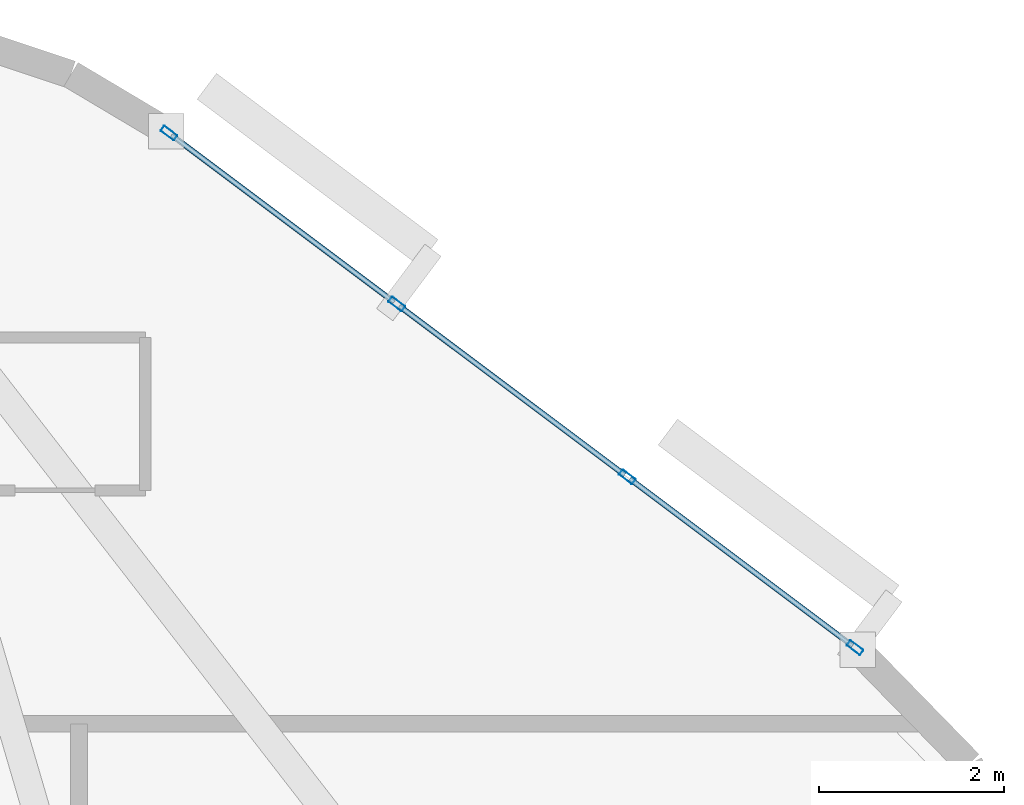
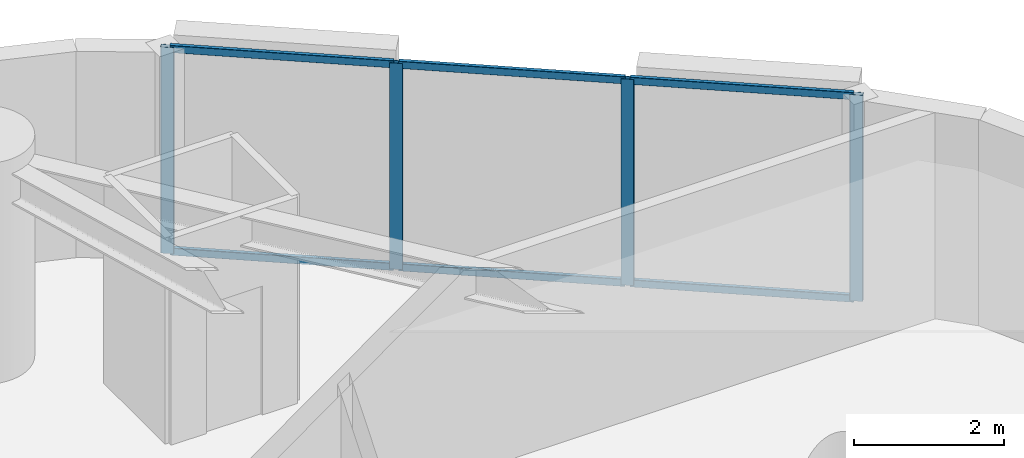
# One storey, part 8 of 15: 10 members, 1 element without a shape of its own.
"""IFC4 building model written with IfcOpenShell, lengths in metres."""

from ifc_helpers import new_model, si_unit, direction, frame, origin, origin_2d, place, context, subcontext, project, spatial, hollow_rectangle, extrude, material, layer, layer_set, material_profile, profile_set, type_object, element, aggregate, save


model = new_model("IFC4")

# Units and contexts
model_context = context("Model", 3, precision=1e-05, world=origin(), true_north=direction((0.0, 1.0)))
body_context = subcontext(model_context, "Body", "Model", "MODEL_VIEW")
ifc_project = project(units=[si_unit("LENGTHUNIT", "METRE"), si_unit("AREAUNIT", "SQUARE_METRE"), si_unit("VOLUMEUNIT", "CUBIC_METRE"), si_unit("PLANEANGLEUNIT", "RADIAN"), si_unit("MASSUNIT", "GRAM", prefix="KILO")], contexts=[model_context])

# Site, building, storey
site_placement = place(None, origin())
site = spatial("IfcSite", under=ifc_project, at=site_placement, CompositionType="ELEMENT")
building_placement = place(site_placement, origin())
building = spatial("IfcBuilding", under=site, at=building_placement, Name="An Khanh Terracotta Commons", CompositionType="ELEMENT")
storey_placement = place(building_placement, frame((0.0, 0.0, 129.5)))
storey = spatial("IfcBuildingStorey", under=building, at=storey_placement, Name="L34", CompositionType="ELEMENT", Elevation=129.5)

# Curtain wall, members
ifc_material = material(Name="Anodised Aluminium 6063-T6", Category="aluminium")
ifc_layer = layer(ifc_material, 0.199951171875, Name="Anodised Aluminium 6063-T6")
ifc_layer_set = layer_set([ifc_layer], Name="Anodised Aluminium 6063-T6")
curtain_wall_type = type_object("IfcCurtainWallType", Name="CW-SYS-02", PredefinedType="USERDEFINED", material=ifc_layer_set)
curtain_wall_placement = place(storey_placement, origin())
curtain_wall = element("IfcCurtainWall", 1, at=curtain_wall_placement, inside=storey, type_object=curtain_wall_type, Name="L34 CW-02 Unitised Curtain Wall CW-L34-16", ObjectType="UNITISED CURTAIN WALL", PredefinedType="USERDEFINED")
ifc_material_profile_1 = material_profile(ifc_material, hollow_rectangle(XDim=0.070068359375, YDim=0.179931640625, WallThickness=0.00390625, InnerFilletRadius=0.00390625, OuterFilletRadius=0.008056640625, at=origin_2d()), Name="RHS180x70x4")
ifc_profile_set_1 = profile_set([ifc_material_profile_1], Name="Anodised Aluminium 6063-T6")
member_type_1 = type_object("IfcMemberType", Name="CWM-RHS180x70x4", PredefinedType="MULLION", material=ifc_profile_set_1)
member_1_placement = place(storey_placement, frame((55.132080078125, 37.10107421875, 0.0), z_axis=(0.0, 0.0, 1.0), x_axis=(-0.599982857492, -0.800012856594, 0.0)))
member_1 = element("IfcMember", 2, at=member_1_placement, type_object=member_type_1, Name="CW-02 mullion 1", PredefinedType="MULLION", context=body_context, shape_type="SweptSolid", body=[
    extrude(hollow_rectangle(XDim=0.070068359375, YDim=0.179931640625, WallThickness=0.00390625, InnerFilletRadius=0.00390625, OuterFilletRadius=0.008056640625, at=origin_2d()), origin(), (0.0, 0.0, 1.0), 3.360107421875),
])
member_2_placement = place(storey_placement, frame((52.6708984375, 38.94677734375, 0.0), z_axis=(0.0, 0.0, 1.0), x_axis=(-0.599982857492, -0.800012856594, 0.0)))
member_2 = element("IfcMember", 3, at=member_2_placement, type_object=member_type_1, Name="CW-02 mullion 2", PredefinedType="MULLION", context=body_context, shape_type="SweptSolid", body=[
    extrude(hollow_rectangle(XDim=0.070068359375, YDim=0.179931640625, WallThickness=0.00390625, InnerFilletRadius=0.00390625, OuterFilletRadius=0.008056640625, at=origin_2d()), origin(), (0.0, 0.0, 1.0), 3.360107421875),
])
member_3_placement = place(storey_placement, frame((50.181884765625, 40.813232421875, 0.0), z_axis=(0.0, 0.0, 1.0), x_axis=(-0.599982857492, -0.800012856594, 0.0)))
member_3 = element("IfcMember", 4, at=member_3_placement, type_object=member_type_1, Name="CW-02 mullion 3", PredefinedType="MULLION", context=body_context, shape_type="SweptSolid", body=[
    extrude(hollow_rectangle(XDim=0.070068359375, YDim=0.179931640625, WallThickness=0.00390625, InnerFilletRadius=0.00390625, OuterFilletRadius=0.008056640625, at=origin_2d()), origin(), (0.0, 0.0, 1.0), 3.360107421875),
])
member_4_placement = place(storey_placement, frame((47.720947265625, 42.658935546875, 0.0), z_axis=(0.0, 0.0, 1.0), x_axis=(-0.599982857492, -0.800012856594, 0.0)))
member_4 = element("IfcMember", 5, at=member_4_placement, type_object=member_type_1, Name="CW-02 mullion 4", PredefinedType="MULLION", context=body_context, shape_type="SweptSolid", body=[
    extrude(hollow_rectangle(XDim=0.070068359375, YDim=0.179931640625, WallThickness=0.00390625, InnerFilletRadius=0.00390625, OuterFilletRadius=0.008056640625, at=origin_2d()), origin(), (0.0, 0.0, 1.0), 3.360107421875),
])
ifc_material_profile_2 = material_profile(ifc_material, hollow_rectangle(XDim=0.06005859375, YDim=0.1201171875, WallThickness=0.003662109375, InnerFilletRadius=0.003662109375, OuterFilletRadius=0.007080078125, at=origin_2d()), Name="RHS120x60x3.6")
ifc_profile_set_2 = profile_set([ifc_material_profile_2], Name="Anodised Aluminium 6063-T6")
member_type_2 = type_object("IfcMemberType", Name="CWT-RHS120x60x3.6", PredefinedType="USERDEFINED", material=ifc_profile_set_2)
member_5_placement = place(storey_placement, frame((55.10400390625, 37.1220703125, 0.030029296875), z_axis=(-0.800009745217, 0.599987006158, 0.0), x_axis=(-0.599987006158, -0.800009745217, 0.0)))
member_5 = element("IfcMember", 6, at=member_5_placement, type_object=member_type_2, Name="CW-02 transom 1.1", ObjectType="TRANSOM", PredefinedType="USERDEFINED", context=body_context, shape_type="SweptSolid", body=[
    extrude(hollow_rectangle(XDim=0.06005859375, YDim=0.1201171875, WallThickness=0.003662109375, InnerFilletRadius=0.003662109375, OuterFilletRadius=0.007080078125, at=origin_2d()), origin(), (0.0, 0.0, 1.0), 3.00634765625),
])
member_6_placement = place(storey_placement, frame((55.10400390625, 37.1220703125, 3.330078125), z_axis=(-0.800009745217, 0.599987006158, 0.0), x_axis=(-0.599987006158, -0.800009745217, 0.0)))
member_6 = element("IfcMember", 7, at=member_6_placement, type_object=member_type_2, Name="CW-02 transom 1.2", ObjectType="TRANSOM", PredefinedType="USERDEFINED", context=body_context, shape_type="SweptSolid", body=[
    extrude(hollow_rectangle(XDim=0.06005859375, YDim=0.1201171875, WallThickness=0.003662109375, InnerFilletRadius=0.003662109375, OuterFilletRadius=0.007080078125, at=origin_2d()), origin(), (0.0, 0.0, 1.0), 3.00634765625),
])
member_7_placement = place(storey_placement, frame((52.64306640625, 38.9677734375, 0.030029296875), z_axis=(-0.800057796972, 0.599922929638, 0.0), x_axis=(-0.599922929638, -0.800057796972, 0.0)))
member_7 = element("IfcMember", 8, at=member_7_placement, type_object=member_type_2, Name="CW-02 transom 2.1", ObjectType="TRANSOM", PredefinedType="USERDEFINED", context=body_context, shape_type="SweptSolid", body=[
    extrude(hollow_rectangle(XDim=0.06005859375, YDim=0.1201171875, WallThickness=0.003662109375, InnerFilletRadius=0.003662109375, OuterFilletRadius=0.007080078125, at=origin_2d()), origin(), (0.0, 0.0, 1.0), 3.041259765625),
])
member_8_placement = place(storey_placement, frame((52.64306640625, 38.9677734375, 3.330078125), z_axis=(-0.800057796972, 0.599922929638, 0.0), x_axis=(-0.599922929638, -0.800057796972, 0.0)))
member_8 = element("IfcMember", 9, at=member_8_placement, type_object=member_type_2, Name="CW-02 transom 2.2", ObjectType="TRANSOM", PredefinedType="USERDEFINED", context=body_context, shape_type="SweptSolid", body=[
    extrude(hollow_rectangle(XDim=0.06005859375, YDim=0.1201171875, WallThickness=0.003662109375, InnerFilletRadius=0.003662109375, OuterFilletRadius=0.007080078125, at=origin_2d()), origin(), (0.0, 0.0, 1.0), 3.041259765625),
])
member_9_placement = place(storey_placement, frame((50.154052734375, 40.834228515625, 0.030029296875), z_axis=(-0.800009745217, 0.599987006158, 0.0), x_axis=(-0.599987006158, -0.800009745217, 0.0)))
member_9 = element("IfcMember", 10, at=member_9_placement, type_object=member_type_2, Name="CW-02 transom 3.1", ObjectType="TRANSOM", PredefinedType="USERDEFINED", context=body_context, shape_type="SweptSolid", body=[
    extrude(hollow_rectangle(XDim=0.06005859375, YDim=0.1201171875, WallThickness=0.003662109375, InnerFilletRadius=0.003662109375, OuterFilletRadius=0.007080078125, at=origin_2d()), origin(), (0.0, 0.0, 1.0), 3.00634765625),
])
member_10_placement = place(storey_placement, frame((50.154052734375, 40.834228515625, 3.330078125), z_axis=(-0.800009745217, 0.599987006158, 0.0), x_axis=(-0.599987006158, -0.800009745217, 0.0)))
member_10 = element("IfcMember", 11, at=member_10_placement, type_object=member_type_2, Name="CW-02 transom 3.2", ObjectType="TRANSOM", PredefinedType="USERDEFINED", context=body_context, shape_type="SweptSolid", body=[
    extrude(hollow_rectangle(XDim=0.06005859375, YDim=0.1201171875, WallThickness=0.003662109375, InnerFilletRadius=0.003662109375, OuterFilletRadius=0.007080078125, at=origin_2d()), origin(), (0.0, 0.0, 1.0), 3.00634765625),
])
aggregate(curtain_wall, [member_1, member_2, member_3, member_4, member_5, member_6, member_7, member_8, member_9, member_10])

save(model, "model.ifc")
